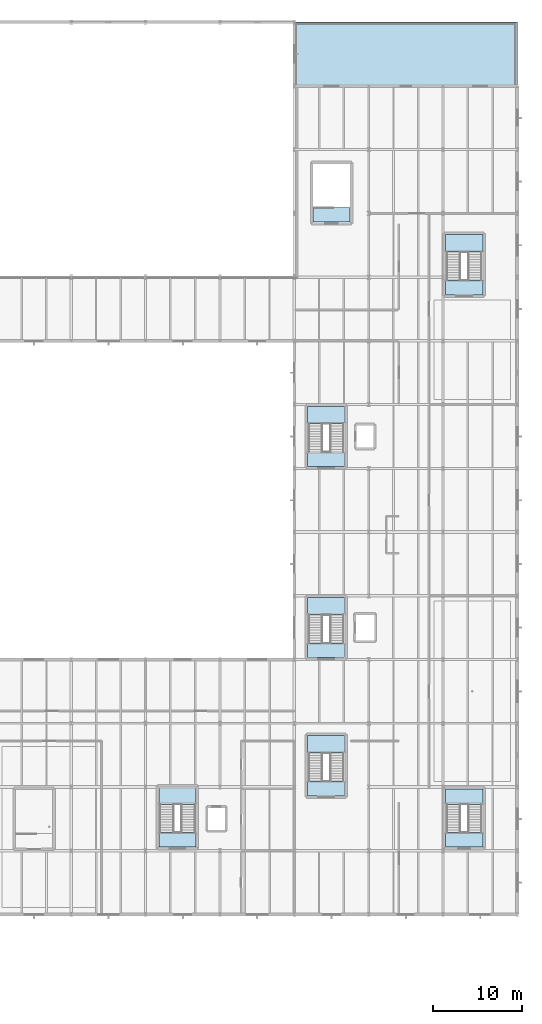
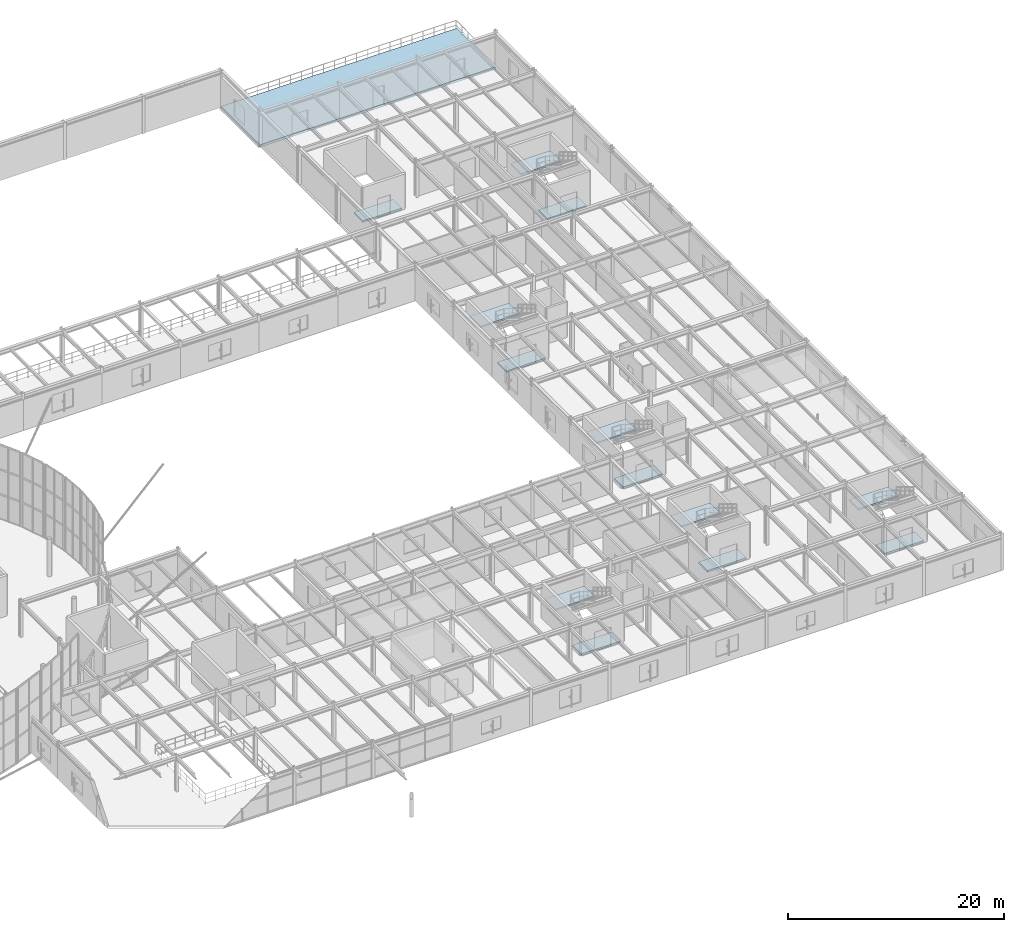
# One storey, part 53 of 109: 14 slabs, 6 elements without a shape of their own.
"""IFC4 building model written with IfcOpenShell, lengths in metres."""

from ifc_helpers import new_model, si_unit, derived_unit, direction, frame, origin, place, context, subcontext, project, spatial, polyline, outline, extrude, material, layer, layer_set, type_object, element, aggregate, save


model = new_model("IFC4")

# Units and contexts
model_context = context("Model", 3, precision=1e-05, world=origin(), true_north=direction((0.0, 1.0)))
body_context = subcontext(model_context, "Body", "Model", "MODEL_VIEW")
ifc_project = project(units=[si_unit("LENGTHUNIT", "METRE"), si_unit("AREAUNIT", "SQUARE_METRE"), si_unit("VOLUMEUNIT", "CUBIC_METRE"), si_unit("PLANEANGLEUNIT", "RADIAN"), si_unit("MASSUNIT", "GRAM", prefix="KILO"), derived_unit("THERMALTRANSMITTANCEUNIT", [(si_unit("MASSUNIT", "GRAM", prefix="KILO"), 1), (si_unit("TIMEUNIT", "SECOND"), -3), (si_unit("THERMODYNAMICTEMPERATUREUNIT", "KELVIN"), -1)])], contexts=[model_context])

# Site, building, storey
site_placement = place(None, origin())
site = spatial("IfcSite", under=ifc_project, at=site_placement, CompositionType="ELEMENT")
building_placement = place(site_placement, origin())
building = spatial("IfcBuilding", under=site, at=building_placement, Name="Kharveza Railside Sports Centre", CompositionType="ELEMENT")
storey_placement = place(building_placement, frame((0.0, 0.0, 4.5)))
storey = spatial("IfcBuildingStorey", under=building, at=storey_placement, Name="L01", CompositionType="ELEMENT", Elevation=4.5)

# Slab
ifc_material = material(Name="Concrete C35/45", Category="concrete")
ifc_layer_1 = layer(ifc_material, 0.18505859375, Name="Concrete C35/45")
ifc_layer_set_1 = layer_set([ifc_layer_1], Name="Concrete C35/45")
slab_type_1 = type_object("IfcSlabType", Name="SL-LD185", PredefinedType="LANDING", material=ifc_layer_set_1)
slab_1_placement = place(storey_placement, frame((0.0, 0.0, -0.18505859375)))
element("IfcSlab", 1, at=slab_1_placement, inside=storey, type_object=slab_type_1, Name="SLB-STLND-FLR-ST1-L01", PredefinedType="LANDING", context=body_context, shape_type="SweptSolid", body=[
    extrude(outline(polyline([(144.304931640625, 36.205078125), (148.4951171875, 36.205078125), (148.4951171875, 37.860107421875), (144.304931640625, 37.860107421875), (144.304931640625, 36.205078125)])), origin(), (0.0, 0.0, 1.0), 0.18505859375),
])

# Stair, slab
stair_type = type_object("IfcStairType", Name="ST-B42", PredefinedType="TWO_STRAIGHT_RUN_STAIR", material=ifc_material)
stair_1_placement = place(storey_placement, origin())
stair_1 = element("IfcStair", 2, at=stair_1_placement, inside=storey, type_object=stair_type, Name="STR-ST1-L01", PredefinedType="TWO_STRAIGHT_RUN_STAIR")
slab_2_placement = place(storey_placement, frame((0.0, 0.0, 1.9150390625)))
slab_2 = element("IfcSlab", 3, at=slab_2_placement, type_object=slab_type_1, Name="STR-ST1-L01-HLND", PredefinedType="LANDING", context=body_context, shape_type="SweptSolid", body=[
    extrude(outline(polyline([(144.304931640625, 41.050048828125), (148.4951171875, 41.050048828125), (148.4951171875, 42.9951171875), (144.304931640625, 42.9951171875), (144.304931640625, 41.050048828125)])), origin(), (0.0, 0.0, 1.0), 0.18505859375),
])
aggregate(stair_1, [slab_2])

# Slab
slab_3_placement = place(storey_placement, frame((0.0, 0.0, -0.18505859375)))
element("IfcSlab", 4, at=slab_3_placement, inside=storey, type_object=slab_type_1, Name="SLB-STLND-FLR-ST2-L01", PredefinedType="LANDING", context=body_context, shape_type="SweptSolid", body=[
    extrude(outline(polyline([(144.304931640625, 57.804931640625), (148.4951171875, 57.804931640625), (148.4951171875, 59.4599609375), (144.304931640625, 59.4599609375), (144.304931640625, 57.804931640625)])), origin(), (0.0, 0.0, 1.0), 0.18505859375),
])

# Stair, slab
stair_2_placement = place(storey_placement, origin())
stair_2 = element("IfcStair", 5, at=stair_2_placement, inside=storey, type_object=stair_type, Name="STR-ST2-L01", PredefinedType="TWO_STRAIGHT_RUN_STAIR")
slab_4_placement = place(storey_placement, frame((0.0, 0.0, 1.9150390625)))
slab_4 = element("IfcSlab", 6, at=slab_4_placement, type_object=slab_type_1, Name="STR-ST2-L01-HLND", PredefinedType="LANDING", context=body_context, shape_type="SweptSolid", body=[
    extrude(outline(polyline([(144.304931640625, 62.64990234375), (148.4951171875, 62.64990234375), (148.4951171875, 64.594970703125), (144.304931640625, 64.594970703125), (144.304931640625, 62.64990234375)])), origin(), (0.0, 0.0, 1.0), 0.18505859375),
])
aggregate(stair_2, [slab_4])

# Slab
slab_5_placement = place(storey_placement, frame((0.0, 0.0, -0.18505859375)))
element("IfcSlab", 7, at=slab_5_placement, inside=storey, type_object=slab_type_1, Name="SLB-STLND-FLR-ST3-L01", PredefinedType="LANDING", context=body_context, shape_type="SweptSolid", body=[
    extrude(outline(polyline([(127.5048828125, 14.804931640625), (131.695068359375, 14.804931640625), (131.695068359375, 16.4599609375), (127.5048828125, 16.4599609375), (127.5048828125, 14.804931640625)])), origin(), (0.0, 0.0, 1.0), 0.18505859375),
])

# Stair, slab
stair_3_placement = place(storey_placement, origin())
stair_3 = element("IfcStair", 8, at=stair_3_placement, inside=storey, type_object=stair_type, Name="STR-ST3-L01", PredefinedType="TWO_STRAIGHT_RUN_STAIR")
slab_6_placement = place(storey_placement, frame((0.0, 0.0, 1.9150390625)))
slab_6 = element("IfcSlab", 9, at=slab_6_placement, type_object=slab_type_1, Name="STR-ST3-L01-HLND", PredefinedType="LANDING", context=body_context, shape_type="SweptSolid", body=[
    extrude(outline(polyline([(127.5048828125, 19.64990234375), (131.695068359375, 19.64990234375), (131.695068359375, 21.594970703125), (127.5048828125, 21.594970703125), (127.5048828125, 19.64990234375)])), origin(), (0.0, 0.0, 1.0), 0.18505859375),
])
aggregate(stair_3, [slab_6])

# Slab
slab_7_placement = place(storey_placement, frame((0.0, 0.0, -0.18505859375)))
element("IfcSlab", 10, at=slab_7_placement, inside=storey, type_object=slab_type_1, Name="SLB-STLND-FLR-ST4-L01", PredefinedType="LANDING", context=body_context, shape_type="SweptSolid", body=[
    extrude(outline(polyline([(159.905029296875, 77.205078125), (164.094970703125, 77.205078125), (164.094970703125, 78.860107421875), (159.905029296875, 78.860107421875), (159.905029296875, 77.205078125)])), origin(), (0.0, 0.0, 1.0), 0.18505859375),
])

# Stair, slab
stair_4_placement = place(storey_placement, origin())
stair_4 = element("IfcStair", 11, at=stair_4_placement, inside=storey, type_object=stair_type, Name="STR-ST4-L01", PredefinedType="TWO_STRAIGHT_RUN_STAIR")
slab_8_placement = place(storey_placement, frame((0.0, 0.0, 1.9150390625)))
slab_8 = element("IfcSlab", 12, at=slab_8_placement, type_object=slab_type_1, Name="STR-ST4-L01-HLND", PredefinedType="LANDING", context=body_context, shape_type="SweptSolid", body=[
    extrude(outline(polyline([(159.905029296875, 82.050048828125), (164.094970703125, 82.050048828125), (164.094970703125, 83.9951171875), (159.905029296875, 83.9951171875), (159.905029296875, 82.050048828125)])), origin(), (0.0, 0.0, 1.0), 0.18505859375),
])
aggregate(stair_4, [slab_8])

# Slab
slab_9_placement = place(storey_placement, frame((0.0, 0.0, -0.18505859375)))
element("IfcSlab", 13, at=slab_9_placement, inside=storey, type_object=slab_type_1, Name="SLB-STLND-FLR-ST5-L01", PredefinedType="LANDING", context=body_context, shape_type="SweptSolid", body=[
    extrude(outline(polyline([(144.304931640625, 20.60498046875), (148.4951171875, 20.60498046875), (148.4951171875, 22.260009765625), (144.304931640625, 22.260009765625), (144.304931640625, 20.60498046875)])), origin(), (0.0, 0.0, 1.0), 0.18505859375),
])

# Stair, slab
stair_5_placement = place(storey_placement, origin())
stair_5 = element("IfcStair", 14, at=stair_5_placement, inside=storey, type_object=stair_type, Name="STR-ST5-L01", PredefinedType="TWO_STRAIGHT_RUN_STAIR")
slab_10_placement = place(storey_placement, frame((0.0, 0.0, 1.9150390625)))
slab_10 = element("IfcSlab", 15, at=slab_10_placement, type_object=slab_type_1, Name="STR-ST5-L01-HLND", PredefinedType="LANDING", context=body_context, shape_type="SweptSolid", body=[
    extrude(outline(polyline([(144.304931640625, 25.449951171875), (148.4951171875, 25.449951171875), (148.4951171875, 27.39501953125), (144.304931640625, 27.39501953125), (144.304931640625, 25.449951171875)])), origin(), (0.0, 0.0, 1.0), 0.18505859375),
])
aggregate(stair_5, [slab_10])

# Slab
slab_11_placement = place(storey_placement, frame((0.0, 0.0, -0.18505859375)))
element("IfcSlab", 16, at=slab_11_placement, inside=storey, type_object=slab_type_1, Name="SLB-STLND-FLR-ST11-L01", PredefinedType="LANDING", context=body_context, shape_type="SweptSolid", body=[
    extrude(outline(polyline([(159.905029296875, 14.804931640625), (164.094970703125, 14.804931640625), (164.094970703125, 16.4599609375), (159.905029296875, 16.4599609375), (159.905029296875, 14.804931640625)])), origin(), (0.0, 0.0, 1.0), 0.18505859375),
])

# Stair, slab
stair_6_placement = place(storey_placement, origin())
stair_6 = element("IfcStair", 17, at=stair_6_placement, inside=storey, type_object=stair_type, Name="STR-ST11-L01", PredefinedType="TWO_STRAIGHT_RUN_STAIR")
slab_12_placement = place(storey_placement, frame((0.0, 0.0, 1.9150390625)))
slab_12 = element("IfcSlab", 18, at=slab_12_placement, type_object=slab_type_1, Name="STR-ST11-L01-HLND", PredefinedType="LANDING", context=body_context, shape_type="SweptSolid", body=[
    extrude(outline(polyline([(159.905029296875, 19.64990234375), (164.094970703125, 19.64990234375), (164.094970703125, 21.39501953125), (159.905029296875, 21.39501953125), (159.905029296875, 19.64990234375)])), origin(), (0.0, 0.0, 1.0), 0.18505859375),
])
aggregate(stair_6, [slab_12])

# Slabs
slab_13_placement = place(storey_placement, frame((0.0, 0.0, -0.18505859375)))
element("IfcSlab", 19, at=slab_13_placement, inside=storey, type_object=slab_type_1, Name="SLB-STLND-FLR-ST13-L01", PredefinedType="LANDING", context=body_context, shape_type="SweptSolid", body=[
    extrude(outline(polyline([(144.905029296875, 85.405029296875), (149.094970703125, 85.405029296875), (149.094970703125, 87.06005859375), (144.905029296875, 87.06005859375), (144.905029296875, 85.405029296875)])), origin(), (0.0, 0.0, 1.0), 0.18505859375),
])
ifc_layer_2 = layer(ifc_material, 0.280029296875, Name="Concrete C35/45")
ifc_layer_set_2 = layer_set([ifc_layer_2], Name="Concrete C35/45")
slab_type_2 = type_object("IfcSlabType", Name="SL-TR280", PredefinedType="FLOOR", material=ifc_layer_set_2)
slab_14_placement = place(storey_placement, frame((0.0, 0.0, -0.280029296875)))
element("IfcSlab", 20, at=slab_14_placement, inside=storey, type_object=slab_type_2, Name="Outdoor Terrace TERR-L01-NE", PredefinedType="FLOOR", context=body_context, shape_type="SweptSolid", body=[
    extrude(outline(polyline([(142.801025390625, 107.9990234375), (167.9990234375, 107.9990234375), (167.9990234375, 100.801025390625), (142.801025390625, 100.801025390625), (142.801025390625, 107.9990234375)])), origin(), (0.0, 0.0, 1.0), 0.280029296875),
])

save(model, "model.ifc")
